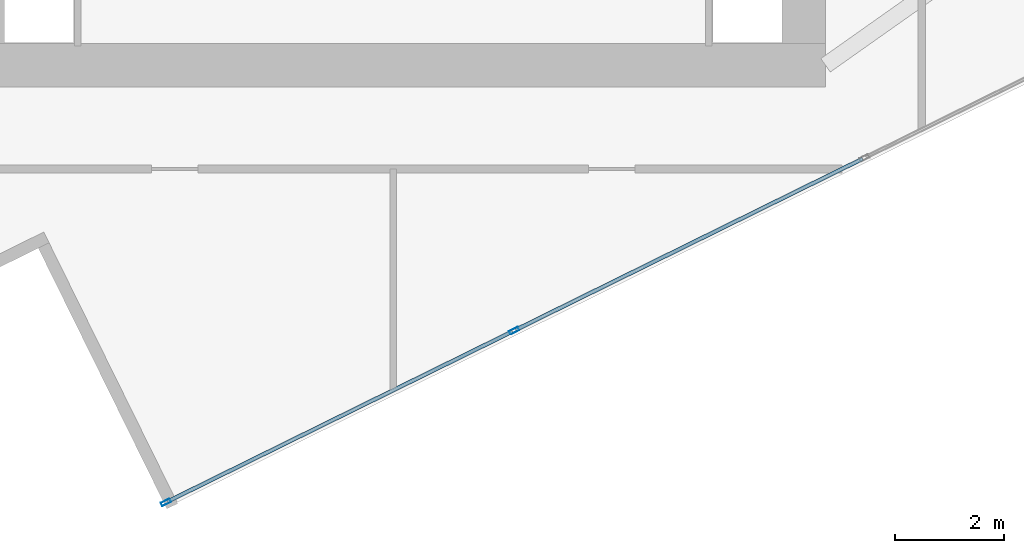
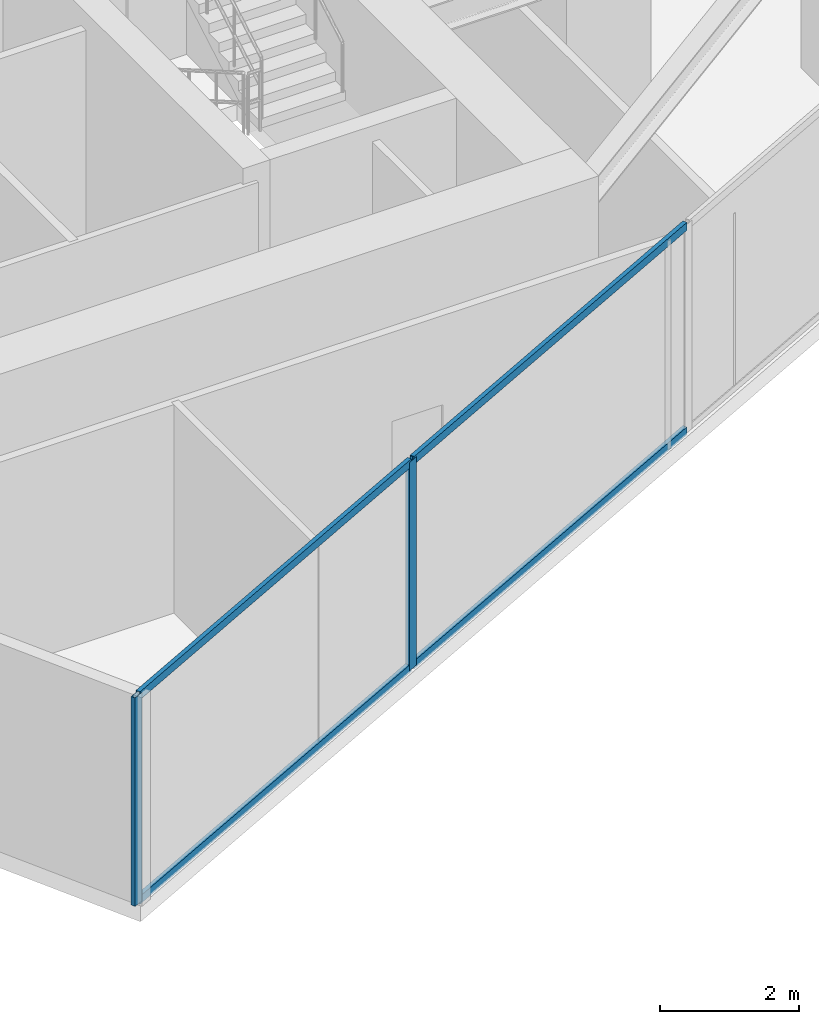
# One storey, part 3 of 22: 6 members, 1 element without a shape of its own.
"""IFC4 building model written with IfcOpenShell, lengths in metres."""

from ifc_helpers import new_model, si_unit, direction, frame, origin, origin_2d, place, context, subcontext, project, spatial, hollow_rectangle, extrude, source, transform, mapped, material, material_profile, profile_set, type_object, type_shapes, element, aggregate, save


model = new_model("IFC4")

# Units and contexts
model_context = context("Model", 3, precision=1e-05, world=origin(), true_north=direction((0.0, 1.0)))
body_context = subcontext(model_context, "Body", "Model", "MODEL_VIEW")
ifc_project = project(units=[si_unit("LENGTHUNIT", "METRE"), si_unit("AREAUNIT", "SQUARE_METRE"), si_unit("VOLUMEUNIT", "CUBIC_METRE"), si_unit("PLANEANGLEUNIT", "RADIAN"), si_unit("MASSUNIT", "GRAM", prefix="KILO")], contexts=[model_context])

# Site, building, storey
site_placement = place(None, origin())
site = spatial("IfcSite", under=ifc_project, at=site_placement, CompositionType="ELEMENT")
building_placement = place(site_placement, origin())
building = spatial("IfcBuilding", under=site, at=building_placement, Name="Krantzveldt Concourse Tower", CompositionType="ELEMENT")
storey_placement = place(building_placement, frame((0.0, 0.0, 310.85009765625)))
storey = spatial("IfcBuildingStorey", under=building, at=storey_placement, Name="L76", CompositionType="ELEMENT", Elevation=310.85009765625)

# Curtain wall, members
ifc_material = material(Name="Anodised aluminium 6063-T6", Category="aluminium")
curtain_wall_type = type_object("IfcCurtainWallType", Name="CW4", PredefinedType="USERDEFINED", material=ifc_material)
curtain_wall_placement = place(storey_placement, origin())
curtain_wall = element("IfcCurtainWall", 1, at=curtain_wall_placement, inside=storey, type_object=curtain_wall_type, Name="CW-L76-F07", ObjectType="UNITISED CURTAIN WALL", PredefinedType="USERDEFINED")
ifc_material_profile_1 = material_profile(ifc_material, hollow_rectangle(XDim=0.070068359375, YDim=0.179931640625, WallThickness=0.0048828125, at=origin_2d()), Name="Anodised aluminium 6063-T6", Category="aluminium")
ifc_profile_set_1 = profile_set([ifc_material_profile_1], Name="Anodised aluminium 6063-T6 - ALU-MULL 180x70x5")
member_type_1 = type_object("IfcMemberType", Name="CW-MUL-180", PredefinedType="MULLION", material=ifc_profile_set_1)
shared_shape_1 = source(origin(), body_context, "Body", "SweptSolid", [
    extrude(hollow_rectangle(XDim=0.070068359375, YDim=0.179931640625, WallThickness=0.0048828125, at=origin_2d()), origin(), (0.0, 0.0, 1.0), 3.669921875),
])
type_shapes(member_type_1, [shared_shape_1])
member_1_placement = place(storey_placement, frame((31.835205078125, 2.892822265625, 0.0), z_axis=(0.0, 0.0, 1.0), x_axis=(-0.442288511927, 0.896872829457, 0.0)))
member_1 = element("IfcMember", 2, at=member_1_placement, type_object=member_type_1, Name="CW-Z56 mullion 1", PredefinedType="MULLION", context=body_context, shape_type="MappedRepresentation", body=[
    mapped(shared_shape_1, transform((0.0, 0.0, 0.0), x_axis=(1.0, 0.0, 0.0), y_axis=(0.0, 1.0, 0.0), z_axis=(0.0, 0.0, 1.0), scale=1.0)),
])
member_2_placement = place(storey_placement, frame((38.21630859375, 6.03955078125, 0.0), z_axis=(0.0, 0.0, 1.0), x_axis=(-0.442288511927, 0.896872829457, 0.0)))
member_2 = element("IfcMember", 3, at=member_2_placement, type_object=member_type_1, Name="CW-Z56 mullion 2", PredefinedType="MULLION", context=body_context, shape_type="MappedRepresentation", body=[
    mapped(shared_shape_1, transform((0.0, 0.0, 0.0), x_axis=(1.0, 0.0, 0.0), y_axis=(0.0, 1.0, 0.0), z_axis=(0.0, 0.0, 1.0), scale=1.0)),
])
ifc_material_profile_2 = material_profile(ifc_material, hollow_rectangle(XDim=0.070068359375, YDim=0.139892578125, WallThickness=0.0048828125, at=origin_2d()), Name="Anodised aluminium 6063-T6", Category="aluminium")
ifc_profile_set_2 = profile_set([ifc_material_profile_2], Name="Anodised aluminium 6063-T6 - ALU-TRAN 140x70x5")
member_type_2 = type_object("IfcMemberType", Name="CW-TRN-150", PredefinedType="USERDEFINED", material=ifc_profile_set_2)
shared_shape_2 = source(origin(), body_context, "Body", "SweptSolid", [
    extrude(hollow_rectangle(XDim=0.070068359375, YDim=0.139892578125, WallThickness=0.0048828125, at=origin_2d()), origin(), (0.0, 0.0, 1.0), 7.080078125),
])
member_3_placement = place(storey_placement, frame((38.247802734375, 6.05517578125, 0.034912109375), z_axis=(0.896875742426, 0.442282604958, 0.0), x_axis=(-0.442282604958, 0.896875742426, 0.0)))
member_3 = element("IfcMember", 4, at=member_3_placement, type_object=member_type_2, Name="CW-Z56 transom 2.1", ObjectType="TRANSOM", PredefinedType="USERDEFINED", context=body_context, shape_type="MappedRepresentation", body=[
    mapped(shared_shape_2, transform((0.0, 0.0, 0.0), x_axis=(1.0, 0.0, 0.0), y_axis=(0.0, 1.0, 0.0), z_axis=(0.0, 0.0, 1.0), scale=1.0)),
])
member_4_placement = place(storey_placement, frame((38.247802734375, 6.05517578125, 3.635009765625), z_axis=(0.896875742426, 0.442282604958, 0.0), x_axis=(-0.442282604958, 0.896875742426, 0.0)))
member_4 = element("IfcMember", 5, at=member_4_placement, type_object=member_type_2, Name="CW-Z56 transom 2.2", ObjectType="TRANSOM", PredefinedType="USERDEFINED", context=body_context, shape_type="MappedRepresentation", body=[
    mapped(shared_shape_2, transform((0.0, 0.0, 0.0), x_axis=(1.0, 0.0, 0.0), y_axis=(0.0, 1.0, 0.0), z_axis=(0.0, 0.0, 1.0), scale=1.0)),
])
shared_shape_3 = source(origin(), body_context, "Body", "SweptSolid", [
    extrude(hollow_rectangle(XDim=0.070068359375, YDim=0.139892578125, WallThickness=0.0048828125, at=origin_2d()), origin(), (0.0, 0.0, 1.0), 7.045166015625),
])
type_shapes(member_type_2, [shared_shape_2, shared_shape_3])
member_5_placement = place(storey_placement, frame((31.866455078125, 2.908203125, 0.034912109375), z_axis=(0.896874071777, 0.44228599274, 0.0), x_axis=(-0.44228599274, 0.896874071777, 0.0)))
member_5 = element("IfcMember", 6, at=member_5_placement, type_object=member_type_2, Name="CW-Z56 transom 1.1", ObjectType="TRANSOM", PredefinedType="USERDEFINED", context=body_context, shape_type="MappedRepresentation", body=[
    mapped(shared_shape_3, transform((0.0, 0.0, 0.0), x_axis=(1.0, 0.0, 0.0), y_axis=(0.0, 1.0, 0.0), z_axis=(0.0, 0.0, 1.0), scale=1.0)),
])
member_6_placement = place(storey_placement, frame((31.866455078125, 2.908203125, 3.635009765625), z_axis=(0.896874071777, 0.44228599274, 0.0), x_axis=(-0.44228599274, 0.896874071777, 0.0)))
member_6 = element("IfcMember", 7, at=member_6_placement, type_object=member_type_2, Name="CW-Z56 transom 1.2", ObjectType="TRANSOM", PredefinedType="USERDEFINED", context=body_context, shape_type="MappedRepresentation", body=[
    mapped(shared_shape_3, transform((0.0, 0.0, 0.0), x_axis=(1.0, 0.0, 0.0), y_axis=(0.0, 1.0, 0.0), z_axis=(0.0, 0.0, 1.0), scale=1.0)),
])
aggregate(curtain_wall, [member_1, member_2, member_5, member_6, member_3, member_4])

save(model, "model.ifc")
